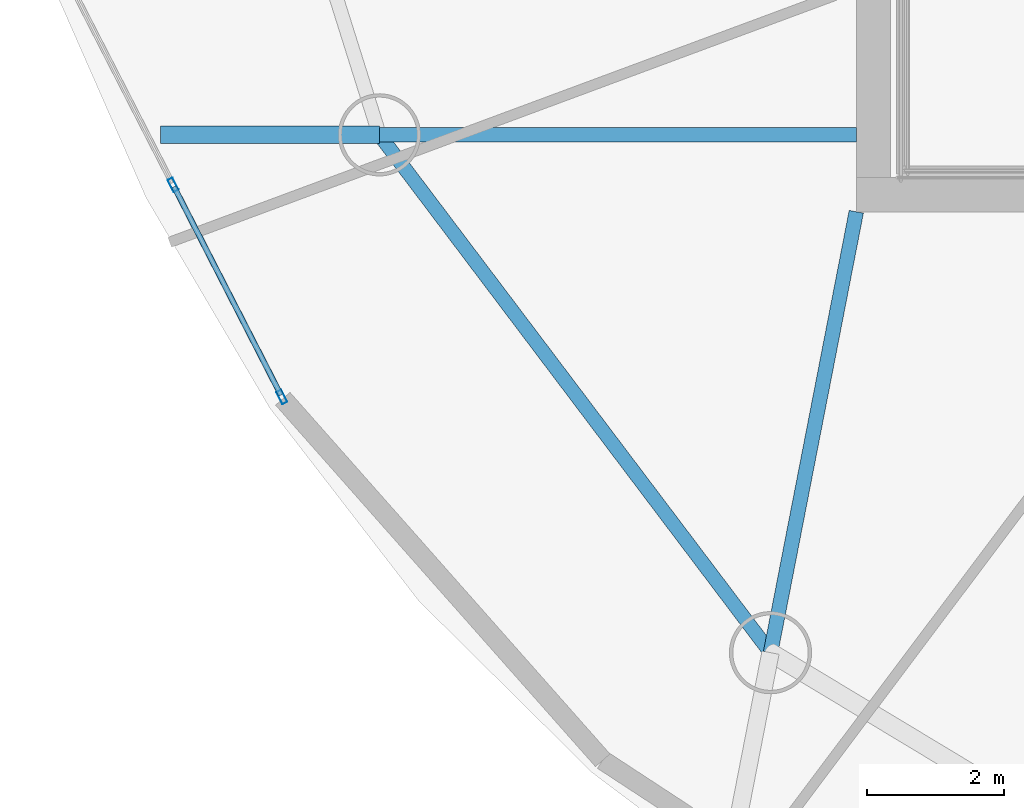
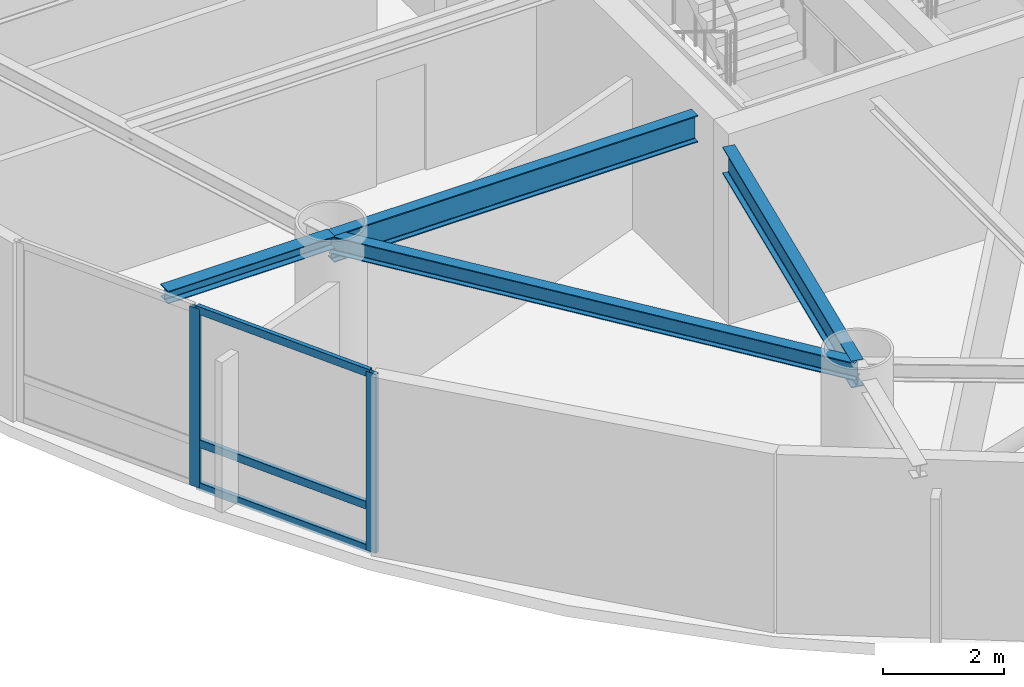
# One storey, part 2 of 23: 5 members, 4 beams, 1 element without a shape of its own.
"""IFC4 building model written with IfcOpenShell, lengths in metres."""

from ifc_helpers import new_model, si_unit, direction, frame, origin, origin_2d, place, context, subcontext, project, spatial, hollow_rectangle, i_section, extrude, material, layer, layer_set, material_profile, profile_set, type_object, element, aggregate, save


model = new_model("IFC4")

# Units and contexts
model_context = context("Model", 3, precision=1e-05, world=origin(), true_north=direction((0.0, 1.0)))
body_context = subcontext(model_context, "Body", "Model", "MODEL_VIEW")
ifc_project = project(units=[si_unit("LENGTHUNIT", "METRE"), si_unit("AREAUNIT", "SQUARE_METRE"), si_unit("VOLUMEUNIT", "CUBIC_METRE"), si_unit("PLANEANGLEUNIT", "RADIAN"), si_unit("MASSUNIT", "GRAM", prefix="KILO")], contexts=[model_context])

# Site, building, storey
site_placement = place(None, origin())
site = spatial("IfcSite", under=ifc_project, at=site_placement, CompositionType="ELEMENT")
building_placement = place(site_placement, origin())
building = spatial("IfcBuilding", under=site, at=building_placement, Name="Bramvorn Convention Spire", CompositionType="ELEMENT")
storey_placement = place(building_placement, frame((0.0, 0.0, 194.300048828125)))
storey = spatial("IfcBuildingStorey", under=building, at=storey_placement, Name="L49", CompositionType="ELEMENT", Elevation=194.300048828125)

# Beams
ifc_material_1 = material(Name="Steel CSA G40.21 Grade 350 (350W)", Category="steel")
ifc_material_profile_1 = material_profile(ifc_material_1, i_section(OverallWidth=0.25390625, OverallDepth=0.2529296875, WebThickness=0.008544921875, FlangeThickness=0.01416015625, FilletRadius=0.011962890625, at=origin_2d()))
ifc_profile_set_1 = profile_set([ifc_material_profile_1], Name="Steel CSA G40.21 Grade 350 (350W) - W250X73")
beam_type_1 = type_object("IfcBeamType", Name="BM-W250X73", PredefinedType="BEAM", material=ifc_profile_set_1)
beam_1_placement = place(storey_placement, frame((19.78955078125, 19.672607421875, 3.493408203125), z_axis=(-1.0, 0.0, 0.0), x_axis=(0.0, -1.0, 0.0)))
element("IfcBeam", 1, at=beam_1_placement, inside=storey, type_object=beam_type_1, Name="L49 slab-edge cantilever tip beam MC12", PredefinedType="BEAM", context=body_context, shape_type="SweptSolid", body=[
    extrude(i_section(OverallWidth=0.25390625, OverallDepth=0.2529296875, WebThickness=0.008544921875, FlangeThickness=0.01416015625, FilletRadius=0.011962890625, at=origin_2d()), origin(), (0.0, 0.0, 1.0), 3.19384765625),
])
ifc_material_profile_2 = material_profile(ifc_material_1, i_section(OverallWidth=0.205078125, OverallDepth=0.35400390625, WebThickness=0.009521484375, FlangeThickness=0.016845703125, FilletRadius=0.014892578125, at=origin_2d()))
ifc_profile_set_2 = profile_set([ifc_material_profile_2], Name="Steel CSA G40.21 Grade 350 (350W) - W360X79")
beam_type_2 = type_object("IfcBeamType", Name="BM-W360X79", PredefinedType="JOIST", material=ifc_profile_set_2)
beam_2_placement = place(storey_placement, frame((19.78955078125, 19.672607421875, 3.44287109375), z_axis=(0.602718581414, -0.797953827999, 0.0), x_axis=(0.797953827999, 0.602718581414, 0.0)))
element("IfcBeam", 2, at=beam_2_placement, inside=storey, type_object=beam_type_2, Name="L49 mega-column ring beam 12", PredefinedType="JOIST", context=body_context, shape_type="SweptSolid", body=[
    extrude(i_section(OverallWidth=0.205078125, OverallDepth=0.35400390625, WebThickness=0.009521484375, FlangeThickness=0.016845703125, FilletRadius=0.014892578125, at=origin_2d()), origin(), (0.0, 0.0, 1.0), 9.47119140625),
])
ifc_material_profile_3 = material_profile(ifc_material_1, i_section(OverallWidth=0.2119140625, OverallDepth=0.5439453125, WebThickness=0.01318359375, FlangeThickness=0.021240234375, FilletRadius=0.01904296875, at=origin_2d()))
ifc_profile_set_3 = profile_set([ifc_material_profile_3], Name="Steel CSA G40.21 Grade 350 (350W) - W530X123")
beam_type_3 = type_object("IfcBeamType", Name="BM-W530X123", PredefinedType="BEAM", material=ifc_profile_set_3)
beam_3_placement = place(storey_placement, frame((26.75, 19.672607421875, 3.347900390625), z_axis=(-1.0, 0.0, 0.0), x_axis=(0.0, -1.0, 0.0)))
element("IfcBeam", 3, at=beam_3_placement, inside=storey, type_object=beam_type_3, Name="L49 radial floor girder MC12", PredefinedType="BEAM", context=body_context, shape_type="SweptSolid", body=[
    extrude(i_section(OverallWidth=0.2119140625, OverallDepth=0.5439453125, WebThickness=0.01318359375, FlangeThickness=0.021240234375, FilletRadius=0.01904296875, at=origin_2d()), origin(), (0.0, 0.0, 1.0), 6.96044921875),
])
beam_4_placement = place(storey_placement, frame((26.75, 18.550048828125, 3.347900390625), z_axis=(-0.190971329886, -0.981595614885, 0.0), x_axis=(0.981595614885, -0.190971329886, 0.0)))
element("IfcBeam", 4, at=beam_4_placement, inside=storey, type_object=beam_type_3, Name="L49 radial floor girder MC13", PredefinedType="BEAM", context=body_context, shape_type="SweptSolid", body=[
    extrude(i_section(OverallWidth=0.2119140625, OverallDepth=0.5439453125, WebThickness=0.01318359375, FlangeThickness=0.021240234375, FilletRadius=0.01904296875, at=origin_2d()), origin(), (0.0, 0.0, 1.0), 6.5556640625),
])

# Curtain wall, members
ifc_material_2 = material(Name="Anodised Bronze Unitised Curtain Wall", Category="aluminium")
ifc_layer = layer(ifc_material_2, 0.179931640625)
ifc_layer_set = layer_set([ifc_layer], Name="Anodised Bronze Unitised Curtain Wall - CW-OFF-FRIT")
curtain_wall_type = type_object("IfcCurtainWallType", Name="CW-OFF-FRIT", PredefinedType="USERDEFINED", material=ifc_layer_set)
curtain_wall_placement = place(storey_placement, origin())
curtain_wall = element("IfcCurtainWall", 5, at=curtain_wall_placement, inside=storey, type_object=curtain_wall_type, Name="L49 fritted glass curtain wall 17", ObjectType="UNITISED CURTAIN WALL", PredefinedType="USERDEFINED")
ifc_material_3 = material(Name="Anodised Bronze Aluminium 6063-T6", Category="aluminium")
ifc_material_profile_4 = material_profile(ifc_material_3, hollow_rectangle(XDim=0.080078125, YDim=0.199951171875, WallThickness=0.00390625, InnerFilletRadius=0.0009765625, OuterFilletRadius=0.00390625, at=origin_2d()))
ifc_profile_set_4 = profile_set([ifc_material_profile_4], Name="Anodised Bronze Aluminium 6063-T6 - CWM80X200")
member_type_1 = type_object("IfcMemberType", Name="CW-MUL-180", PredefinedType="MULLION", material=ifc_profile_set_4)
member_1_placement = place(storey_placement, frame((18.3662109375, 15.847412109375, 0.0), z_axis=(0.0, 0.0, 1.0), x_axis=(-0.889736445864, -0.456474596119, 0.0)))
member_1 = element("IfcMember", 6, at=member_1_placement, type_object=member_type_1, Name="CW3 mullion 1", PredefinedType="MULLION", context=body_context, shape_type="SweptSolid", body=[
    extrude(hollow_rectangle(XDim=0.080078125, YDim=0.199951171875, WallThickness=0.00390625, InnerFilletRadius=0.0009765625, OuterFilletRadius=0.00390625, at=origin_2d()), origin(), (0.0, 0.0, 1.0), 3.619873046875),
])
member_2_placement = place(storey_placement, frame((16.7783203125, 18.942626953125, 0.0), z_axis=(0.0, 0.0, 1.0), x_axis=(-0.889736445864, -0.456474596119, 0.0)))
member_2 = element("IfcMember", 7, at=member_2_placement, type_object=member_type_1, Name="CW3 mullion 2", PredefinedType="MULLION", context=body_context, shape_type="SweptSolid", body=[
    extrude(hollow_rectangle(XDim=0.080078125, YDim=0.199951171875, WallThickness=0.00390625, InnerFilletRadius=0.0009765625, OuterFilletRadius=0.00390625, at=origin_2d()), origin(), (0.0, 0.0, 1.0), 3.619873046875),
])
ifc_material_profile_5 = material_profile(ifc_material_3, hollow_rectangle(XDim=0.080078125, YDim=0.159912109375, WallThickness=0.00390625, InnerFilletRadius=0.0009765625, OuterFilletRadius=0.00390625, at=origin_2d()))
ifc_profile_set_5 = profile_set([ifc_material_profile_5], Name="Anodised Bronze Aluminium 6063-T6 - CWT80X160")
member_type_2 = type_object("IfcMemberType", Name="CW-TRN-150", PredefinedType="USERDEFINED", material=ifc_profile_set_5)
member_3_placement = place(storey_placement, frame((18.3525390625, 15.8740234375, 0.030029296875), z_axis=(-0.456473221702, 0.889737151, 0.0), x_axis=(-0.889737151, -0.456473221702, 0.0)))
member_3 = element("IfcMember", 8, at=member_3_placement, type_object=member_type_2, Name="CW3 transom 1.1", ObjectType="TRANSOM", PredefinedType="USERDEFINED", context=body_context, shape_type="SweptSolid", body=[
    extrude(hollow_rectangle(XDim=0.080078125, YDim=0.159912109375, WallThickness=0.00390625, InnerFilletRadius=0.0009765625, OuterFilletRadius=0.00390625, at=origin_2d()), origin(), (0.0, 0.0, 1.0), 3.418701171875),
])
member_4_placement = place(storey_placement, frame((18.3525390625, 15.8740234375, 0.89990234375), z_axis=(-0.456473221702, 0.889737151, 0.0), x_axis=(-0.889737151, -0.456473221702, 0.0)))
member_4 = element("IfcMember", 9, at=member_4_placement, type_object=member_type_2, Name="CW3 transom 1.2", ObjectType="TRANSOM", PredefinedType="USERDEFINED", context=body_context, shape_type="SweptSolid", body=[
    extrude(hollow_rectangle(XDim=0.080078125, YDim=0.159912109375, WallThickness=0.00390625, InnerFilletRadius=0.0009765625, OuterFilletRadius=0.00390625, at=origin_2d()), origin(), (0.0, 0.0, 1.0), 3.418701171875),
])
member_5_placement = place(storey_placement, frame((18.3525390625, 15.8740234375, 3.58984375), z_axis=(-0.456473221702, 0.889737151, 0.0), x_axis=(-0.889737151, -0.456473221702, 0.0)))
member_5 = element("IfcMember", 10, at=member_5_placement, type_object=member_type_2, Name="CW3 transom 1.3", ObjectType="TRANSOM", PredefinedType="USERDEFINED", context=body_context, shape_type="SweptSolid", body=[
    extrude(hollow_rectangle(XDim=0.080078125, YDim=0.159912109375, WallThickness=0.00390625, InnerFilletRadius=0.0009765625, OuterFilletRadius=0.00390625, at=origin_2d()), origin(), (0.0, 0.0, 1.0), 3.418701171875),
])
aggregate(curtain_wall, [member_1, member_2, member_3, member_4, member_5])

save(model, "model.ifc")
